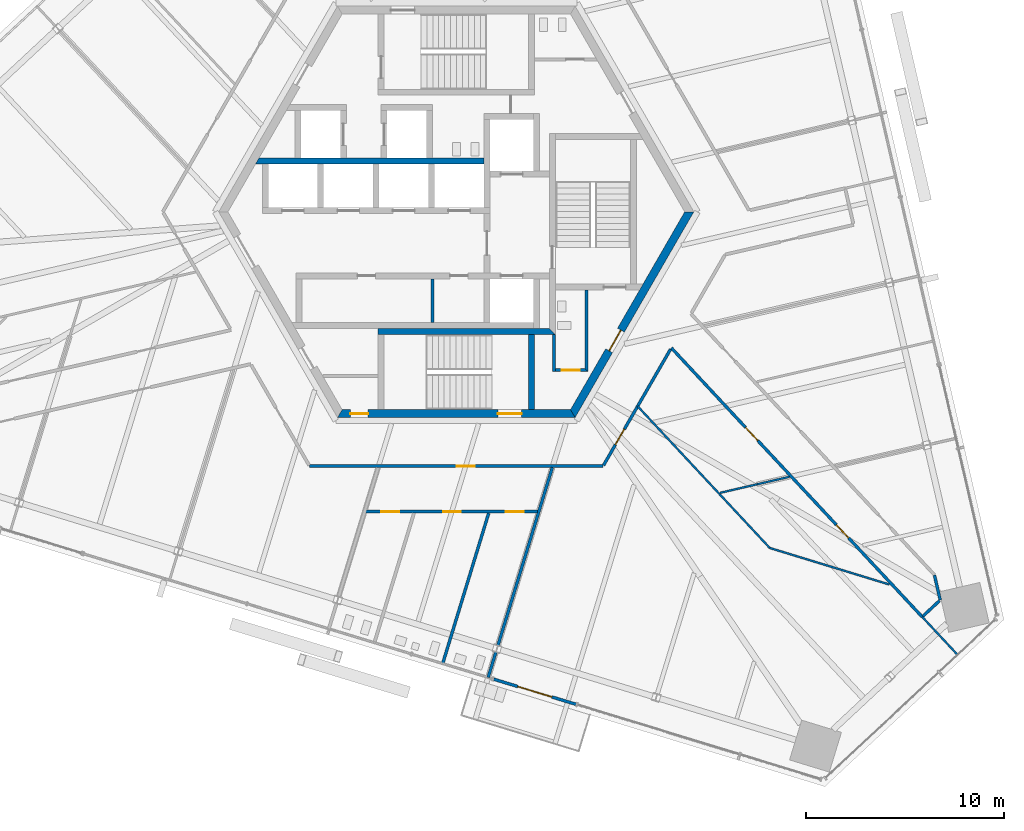
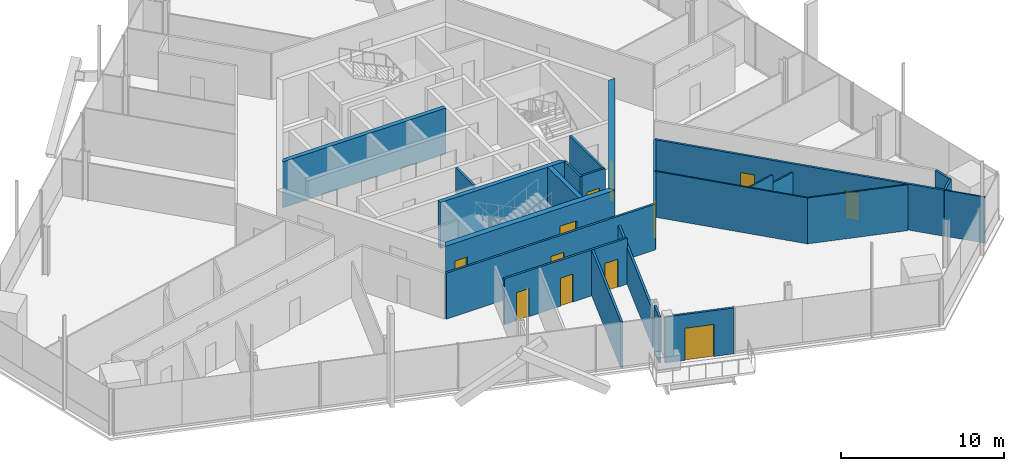
# One storey, part 14 of 24: 24 walls, 12 doors, 12 openings.
"""IFC4 building model written with IfcOpenShell, lengths in metres."""

from ifc_helpers import new_model, si_unit, direction, frame, frame_2d, origin, place, context, subcontext, project, spatial, polyline, rectangle, outline, extrude, source, transform, mapped, material, layer, layer_set, type_object, element, fill, save


model = new_model("IFC4")

# Units and contexts
model_context = context("Model", 3, precision=1e-05, world=origin(), true_north=direction((0.0, 1.0)))
body_context = subcontext(model_context, "Body", "Model", "MODEL_VIEW")
ifc_project = project(units=[si_unit("LENGTHUNIT", "METRE"), si_unit("AREAUNIT", "SQUARE_METRE"), si_unit("VOLUMEUNIT", "CUBIC_METRE"), si_unit("PLANEANGLEUNIT", "RADIAN"), si_unit("MASSUNIT", "GRAM", prefix="KILO")], contexts=[model_context])

# Site, building, storey
site_placement = place(None, origin())
site = spatial("IfcSite", under=ifc_project, at=site_placement, CompositionType="ELEMENT")
building_placement = place(site_placement, origin())
building = spatial("IfcBuilding", under=site, at=building_placement, Name="Triune Harvest Tower", CompositionType="ELEMENT")
storey_placement = place(building_placement, frame((0.0, 0.0, 112.699951171875)))
storey = spatial("IfcBuildingStorey", under=building, at=storey_placement, Name="L28", CompositionType="ELEMENT", Elevation=112.699951171875)

# Wall
ifc_material_1 = material(Name="Gypsum board on steel studs", Category="steel")
ifc_layer_1 = layer(ifc_material_1, 0.10009765625)
ifc_layer_set_1 = layer_set([ifc_layer_1], Name="Gypsum board on steel studs")
wall_type_1 = type_object("IfcWallType", Name="Partition 100 mm", PredefinedType="PARTITIONING", material=ifc_layer_set_1)
wall_1_placement = place(storey_placement, frame((15.193359375, -13.763916015625, 0.0), z_axis=(0.0, 0.0, 1.0), x_axis=(0.974354434128, 0.225018747431, 0.0)))
element("IfcWall", 1, at=wall_1_placement, inside=storey, type_object=wall_type_1, Name="Partition L28 028a", PredefinedType="PARTITIONING", context=body_context, shape_type="SweptSolid", body=[
    extrude(rectangle(XDim=1.679443359375, YDim=0.10009765625, at=frame_2d((0.83984375, 0.0))), origin(), (0.0, 0.0, 1.0), 2.827880859375),
])

# Wall, openings, doors
ifc_material_2 = material(Name="Concrete 70 MPa", Category="concrete")
ifc_layer_2 = layer(ifc_material_2, 0.39990234375)
ifc_layer_set_2 = layer_set([ifc_layer_2], Name="Concrete 70 MPa")
wall_type_2 = type_object("IfcWallType", Name="Core wall 400", PredefinedType="SHEAR", material=ifc_layer_set_2)
shared_shape_1 = source(origin(), body_context, "Body", "SweptSolid", [
    extrude(outline(polyline([(-0.115478515625, -0.199951171875), (11.884521484375, -0.199951171875), (11.653564453125, 0.199951171875), (0.115478515625, 0.199951171875), (-0.115478515625, -0.199951171875)])), origin(), (0.0, 0.0, 1.0), 3.43994140625),
])
wall_2_placement = place(storey_placement, frame((-5.884521484375, -10.1923828125, 0.0), z_axis=(0.0, 0.0, 1.0), x_axis=(1.0, 0.0, 0.0)))
wall_2 = element("IfcWall", 2, at=wall_2_placement, inside=storey, type_object=wall_type_2, Name="Hexagon 4 wall", PredefinedType="SHEAR", context=body_context, shape_type="MappedRepresentation", body=[
    mapped(shared_shape_1, transform((0.0, 0.0, 0.0), scale=1.0)),
])
opening_1_placement = place(wall_2_placement, frame((7.984619140625, 0.0, 0.0)))
opening_1 = element("IfcOpeningElement", 3, at=opening_1_placement, cuts=wall_2, Name="Opening CD-S2P", PredefinedType="OPENING", context=body_context, shape_type="SweptSolid", body=[
    extrude(rectangle(XDim=1.199951171875, YDim=2.10009765625, at=frame_2d((0.60009765625, 1.050048828125))), frame((0.0, 0.2099609375, 0.0), z_axis=(0.0, -1.0, 0.0), x_axis=(1.0, 0.0, 0.0)), (0.0, 0.0, 1.0), 0.419921875),
])
opening_2_placement = place(wall_2_placement, frame((0.534423828125, 0.0, 0.0)))
opening_2 = element("IfcOpeningElement", 4, at=opening_2_placement, cuts=wall_2, Name="Opening CD-SWS", PredefinedType="OPENING", context=body_context, shape_type="SweptSolid", body=[
    extrude(rectangle(XDim=0.89990234375, YDim=2.10009765625, at=frame_2d((0.449951171875, 1.050048828125))), frame((0.0, 0.2099609375, 0.0), z_axis=(0.0, -1.0, 0.0), x_axis=(1.0, 0.0, 0.0)), (0.0, 0.0, 1.0), 0.419921875),
])
ifc_material_3 = material(Name="Steel S235", Category="steel")
door_type_1 = type_object("IfcDoorType", Name="Riser door 900 FD120", OperationType="SINGLE_SWING_LEFT", PredefinedType="DOOR", material=ifc_material_3)
door_1_placement = place(opening_2_placement, frame((0.89990234375, 0.0, 0.0), z_axis=(0.0, 0.0, 1.0), x_axis=(-1.0, 0.0, 0.0)))
door_1 = element("IfcDoor", 5, at=door_1_placement, inside=storey, type_object=door_type_1, Name="Door CD-SWS", OperationType="SINGLE_SWING_RIGHT", OverallHeight=2.10009765625, OverallWidth=0.89990234375, PredefinedType="DOOR", context=body_context, shape_type="SweptSolid", body=[
    extrude(rectangle(XDim=0.89990234375, YDim=2.10009765625, at=frame_2d((0.449951171875, 1.050048828125))), frame((0.0, 0.02490234375, 0.0), z_axis=(0.0, -1.0, 0.0), x_axis=(1.0, 0.0, 0.0)), (0.0, 0.0, 1.0), 0.050048828125),
])
fill(opening_2, door_1)
ifc_material_4 = material(Name="Steel S235", Category="steel")
door_type_2 = type_object("IfcDoorType", Name="Stair door 1200 FD120", OperationType="SINGLE_SWING_LEFT", PredefinedType="DOOR", material=ifc_material_4)
door_2_placement = place(opening_1_placement, frame((1.199951171875, 0.0, 0.0), z_axis=(0.0, 0.0, 1.0), x_axis=(-1.0, 0.0, 0.0)))
door_2 = element("IfcDoor", 6, at=door_2_placement, inside=storey, type_object=door_type_2, Name="Door CD-S2P", OperationType="SINGLE_SWING_RIGHT", OverallHeight=2.10009765625, OverallWidth=1.199951171875, PredefinedType="DOOR", context=body_context, shape_type="SweptSolid", body=[
    extrude(rectangle(XDim=1.199951171875, YDim=2.10009765625, at=frame_2d((0.60009765625, 1.050048828125))), frame((0.0, 0.02490234375, 0.0), z_axis=(0.0, -1.0, 0.0), x_axis=(1.0, 0.0, 0.0)), (0.0, 0.0, 1.0), 0.050048828125),
])
fill(opening_1, door_2)

# Wall, opening, door
wall_3_placement = place(storey_placement, frame((5.884521484375, -10.1923828125, 0.0), z_axis=(0.0, 0.0, 1.0), x_axis=(0.499996592174, 0.866027371285, 0.0)))
wall_3 = element("IfcWall", 7, at=wall_3_placement, inside=storey, type_object=wall_type_2, Name="Hexagon 5 wall", PredefinedType="SHEAR", context=body_context, shape_type="MappedRepresentation", body=[
    mapped(shared_shape_1, transform((0.0, 0.0, 0.0), scale=1.0)),
])
opening_3_placement = place(wall_3_placement, frame((3.66455078125, 0.0, 0.0)))
opening_3 = element("IfcOpeningElement", 8, at=opening_3_placement, cuts=wall_3, Name="Opening CD-DP", PredefinedType="OPENING", context=body_context, shape_type="SweptSolid", body=[
    extrude(rectangle(XDim=1.199951171875, YDim=2.10009765625, at=frame_2d((0.60009765625, 1.050048828125))), frame((0.0, 0.2099609375, 0.0), z_axis=(0.0, -1.0, 0.0), x_axis=(1.0, 0.0, 0.0)), (0.0, 0.0, 1.0), 0.419921875),
])
door_3_placement = place(opening_3_placement, frame((1.199951171875, 0.0, 0.0), z_axis=(0.0, 0.0, 1.0), x_axis=(-1.0, 0.0, 0.0)))
door_3 = element("IfcDoor", 9, at=door_3_placement, inside=storey, type_object=door_type_2, Name="Door CD-DP", OperationType="SINGLE_SWING_RIGHT", OverallHeight=2.10009765625, OverallWidth=1.199951171875, PredefinedType="DOOR", context=body_context, shape_type="SweptSolid", body=[
    extrude(rectangle(XDim=1.199951171875, YDim=2.10009765625, at=frame_2d((0.60009765625, 1.050048828125))), frame((0.0, 0.02490234375, 0.0), z_axis=(0.0, -1.0, 0.0), x_axis=(1.0, 0.0, 0.0)), (0.0, 0.0, 1.0), 0.050048828125),
])
fill(opening_3, door_3)

# Walls
ifc_material_5 = material(Name="Concrete 70 MPa", Category="concrete")
ifc_layer_3 = layer(ifc_material_5, 0.300048828125)
ifc_layer_set_3 = layer_set([ifc_layer_3], Name="Concrete 70 MPa")
wall_type_3 = type_object("IfcWallType", Name="Core wall 300", PredefinedType="SHEAR", material=ifc_layer_set_3)
shared_shape_2 = source(origin(), body_context, "Body", "SweptSolid", [
    extrude(outline(polyline([(11.199951171875, -0.14990234375), (-0.34912109375, -0.14990234375), (-0.17578125, 0.14990234375), (11.199951171875, 0.14990234375), (11.199951171875, -0.14990234375)])), origin(), (0.0, 0.0, 1.0), 3.43994140625),
])
wall_4_placement = place(storey_placement, frame((-9.800048828125, 2.56005859375, 0.0), z_axis=(0.0, 0.0, 1.0), x_axis=(1.0, 0.0, 0.0)))
element("IfcWall", 10, at=wall_4_placement, inside=storey, type_object=wall_type_3, Name="North back wall", PredefinedType="SHEAR", context=body_context, shape_type="MappedRepresentation", body=[
    mapped(shared_shape_2, transform((0.0, 0.0, 0.0), scale=1.0)),
])
shared_shape_3 = source(origin(), body_context, "Body", "SweptSolid", [
    extrude(outline(polyline([(0.0, -0.14990234375), (8.949951171875, -0.14990234375), (8.64990234375, 0.14990234375), (0.0, 0.14990234375), (0.0, -0.14990234375)])), origin(), (0.0, 0.0, 1.0), 3.43994140625),
])
wall_5_placement = place(storey_placement, frame((-3.949951171875, -6.0400390625, 0.0), z_axis=(0.0, 0.0, 1.0), x_axis=(1.0, 0.0, 0.0)))
element("IfcWall", 11, at=wall_5_placement, inside=storey, type_object=wall_type_3, Name="Stair s north wall", PredefinedType="SHEAR", context=body_context, shape_type="MappedRepresentation", body=[
    mapped(shared_shape_3, transform((0.0, 0.0, 0.0), scale=1.0)),
])
shared_shape_4 = source(origin(), body_context, "Body", "SweptSolid", [
    extrude(outline(polyline([(3.800048828125, -0.14990234375), (-0.00439453125, -0.14990234375), (-0.00439453125, 0.14990234375), (3.800048828125, 0.14990234375), (3.800048828125, -0.14990234375)])), origin(), (0.0, 0.0, 1.0), 3.43994140625),
])
wall_6_placement = place(storey_placement, frame((3.800048828125, -9.989990234375, 0.0), z_axis=(0.0, 0.0, 1.0), x_axis=(0.0, 1.0, 0.0)))
element("IfcWall", 12, at=wall_6_placement, inside=storey, type_object=wall_type_3, Name="Stair s east wall", PredefinedType="SHEAR", context=body_context, shape_type="MappedRepresentation", body=[
    mapped(shared_shape_4, transform((0.0, 0.0, 0.0), scale=1.0)),
])

# Wall, opening, door
ifc_material_6 = material(Name="Concrete masonry unit", Category="masonry")
ifc_layer_4 = layer(ifc_material_6, 0.14990234375)
ifc_layer_set_4 = layer_set([ifc_layer_4], Name="Concrete masonry unit")
wall_type_4 = type_object("IfcWallType", Name="Block partition 150 unrated", PredefinedType="PARTITIONING", material=ifc_layer_set_4)
shared_shape_5 = source(origin(), body_context, "Body", "SweptSolid", [
    extrude(outline(polyline([(0.0, -0.074951171875), (1.64990234375, -0.074951171875), (1.5, 0.074951171875), (0.0, 0.074951171875), (0.0, -0.074951171875)])), origin(), (0.0, 0.0, 1.0), 3.43994140625),
])
wall_7_placement = place(storey_placement, frame((5.0, -8.0, 0.0), z_axis=(0.0, 0.0, 1.0), x_axis=(1.0, 0.0, 0.0)))
wall_7 = element("IfcWall", 13, at=wall_7_placement, inside=storey, type_object=wall_type_4, Name="Wc acc south wall", PredefinedType="PARTITIONING", context=body_context, shape_type="MappedRepresentation", body=[
    mapped(shared_shape_5, transform((0.0, 0.0, 0.0), scale=1.0)),
])
opening_4_placement = place(wall_7_placement, frame((0.33740234375, 0.0, 0.0)))
opening_4 = element("IfcOpeningElement", 14, at=opening_4_placement, cuts=wall_7, Name="Opening CD-WA", PredefinedType="OPENING", context=body_context, shape_type="SweptSolid", body=[
    extrude(rectangle(XDim=0.89990234375, YDim=2.10009765625, at=frame_2d((0.449951171875, 1.050048828125))), frame((0.0, 0.0849609375, 0.0), z_axis=(0.0, -1.0, 0.0), x_axis=(1.0, 0.0, 0.0)), (0.0, 0.0, 1.0), 0.169921875),
])
ifc_material_7 = material(Name="Timber C24", Category="wood")
door_type_3 = type_object("IfcDoorType", Name="WC door 900", OperationType="SINGLE_SWING_LEFT", PredefinedType="DOOR", material=ifc_material_7)
door_4_placement = place(opening_4_placement, origin())
door_4 = element("IfcDoor", 15, at=door_4_placement, inside=storey, type_object=door_type_3, Name="Door CD-WA", OperationType="SINGLE_SWING_LEFT", OverallHeight=2.10009765625, OverallWidth=0.89990234375, PredefinedType="DOOR", context=body_context, shape_type="SweptSolid", body=[
    extrude(rectangle(XDim=0.89990234375, YDim=2.10009765625, at=frame_2d((0.449951171875, 1.050048828125))), frame((0.0, 0.02490234375, 0.0), z_axis=(0.0, -1.0, 0.0), x_axis=(1.0, 0.0, 0.0)), (0.0, 0.0, 1.0), 0.050048828125),
])
fill(opening_4, door_4)

# Walls
ifc_material_8 = material(Name="Concrete masonry unit", Category="masonry")
ifc_layer_5 = layer(ifc_material_8, 0.14990234375)
ifc_layer_set_5 = layer_set([ifc_layer_5], Name="Concrete masonry unit")
wall_type_5 = type_object("IfcWallType", Name="Block partition 150", PredefinedType="PARTITIONING", material=ifc_layer_set_5)
shared_shape_6 = source(origin(), body_context, "Body", "SweptSolid", [
    extrude(rectangle(XDim=2.2001953125, YDim=0.14990234375, at=frame_2d((1.10009765625, 0.0))), origin(), (0.0, 0.0, 1.0), 3.43994140625),
])
wall_8_placement = place(storey_placement, frame((-1.199951171875, -5.590087890625, 0.0), z_axis=(0.0, 0.0, 1.0), x_axis=(0.0, 1.0, 0.0)))
element("IfcWall", 16, at=wall_8_placement, inside=storey, type_object=wall_type_5, Name="Row s part 1 wall", PredefinedType="PARTITIONING", context=body_context, shape_type="MappedRepresentation", body=[
    mapped(shared_shape_6, transform((0.0, 0.0, 0.0), scale=1.0)),
])
shared_shape_7 = source(origin(), body_context, "Body", "SweptSolid", [
    extrude(outline(polyline([(-0.074951171875, -0.074951171875), (4.050048828125, -0.074951171875), (4.050048828125, 0.074951171875), (0.074951171875, 0.074951171875), (-0.074951171875, -0.074951171875)])), origin(), (0.0, 0.0, 1.0), 3.43994140625),
])
wall_9_placement = place(storey_placement, frame((6.574951171875, -8.0, 0.0), z_axis=(0.0, 0.0, 1.0), x_axis=(0.0, 1.0, 0.0)))
element("IfcWall", 17, at=wall_9_placement, inside=storey, type_object=wall_type_4, Name="Wc acc east wall", PredefinedType="PARTITIONING", context=body_context, shape_type="MappedRepresentation", body=[
    mapped(shared_shape_7, transform((0.0, 0.0, 0.0), scale=1.0)),
])
shared_shape_8 = source(origin(), body_context, "Body", "SweptSolid", [
    extrude(rectangle(XDim=1.885009765625, YDim=0.14990234375, at=frame_2d((0.9423828125, 0.0))), origin(), (0.0, 0.0, 1.0), 3.43994140625),
])
wall_10_placement = place(storey_placement, frame((4.925048828125, -8.074951171875, 0.0), z_axis=(0.0, 0.0, 1.0), x_axis=(0.0, 1.0, 0.0)))
element("IfcWall", 18, at=wall_10_placement, inside=storey, type_object=wall_type_4, Name="Wc acc west wall", PredefinedType="PARTITIONING", context=body_context, shape_type="MappedRepresentation", body=[
    mapped(shared_shape_8, transform((0.0, 0.0, 0.0), scale=1.0)),
])

# Wall, opening, door
ifc_material_9 = material(Name="Aluminium bronze anodised", Category="aluminium")
ifc_layer_6 = layer(ifc_material_9, 0.14990234375)
ifc_layer_set_6 = layer_set([ifc_layer_6], Name="Aluminium bronze anodised")
wall_type_6 = type_object("IfcWallType", Name="WW-2 balcony window wall", PredefinedType="ELEMENTEDWALL", material=ifc_layer_set_6)
shared_shape_9 = source(origin(), body_context, "Body", "SweptSolid", [
    extrude(rectangle(XDim=4.353515625, YDim=0.14990234375, at=frame_2d((2.1767578125, 0.0))), origin(), (0.0, 0.0, 1.0), 3.43994140625),
])
wall_11_placement = place(storey_placement, frame((6.05029296875, -24.88037109375, 0.0), z_axis=(0.0, 0.0, 1.0), x_axis=(-0.956298880937, 0.292390920378, 0.0)))
wall_11 = element("IfcWall", 19, at=wall_11_placement, inside=storey, type_object=wall_type_6, Name="WW-2 B3-F5 L28.9", PredefinedType="ELEMENTEDWALL", context=body_context, shape_type="MappedRepresentation", body=[
    mapped(shared_shape_9, transform((0.0, 0.0, 0.0), scale=1.0)),
])
opening_5_placement = place(wall_11_placement, frame((1.276611328125, 0.0, 0.0)))
opening_5 = element("IfcOpeningElement", 20, at=opening_5_placement, cuts=wall_11, Name="Opening L28-E02", PredefinedType="OPENING", context=body_context, shape_type="SweptSolid", body=[
    extrude(rectangle(XDim=1.800048828125, YDim=2.39990234375, at=frame_2d((0.89990234375, 1.199951171875))), frame((0.0, 0.0849609375, 0.0), z_axis=(0.0, -1.0, 0.0), x_axis=(1.0, 0.0, 0.0)), (0.0, 0.0, 1.0), 0.169921875),
])
ifc_material_10 = material(Name="Glass", Category="glass")
door_type_4 = type_object("IfcDoorType", Name="DB-1 balcony door 1800 x 2400", OperationType="DOUBLE_DOOR_SINGLE_SWING", PredefinedType="DOOR", material=ifc_material_10)
door_5_placement = place(opening_5_placement, origin())
door_5 = element("IfcDoor", 21, at=door_5_placement, inside=storey, type_object=door_type_4, Name="Door L28-E02", OperationType="DOUBLE_DOOR_SINGLE_SWING", OverallHeight=2.39990234375, OverallWidth=1.800048828125, PredefinedType="DOOR", context=body_context, shape_type="SweptSolid", body=[
    extrude(rectangle(XDim=1.800048828125, YDim=2.39990234375, at=frame_2d((0.89990234375, 1.199951171875))), frame((0.0, 0.02490234375, 0.0), z_axis=(0.0, -1.0, 0.0), x_axis=(1.0, 0.0, 0.0)), (0.0, 0.0, 1.0), 0.050048828125),
])
fill(opening_5, door_5)

# Wall
ifc_material_11 = material(Name="Gypsum board on steel studs", Category="steel")
ifc_layer_7 = layer(ifc_material_11, 0.14990234375)
ifc_layer_set_7 = layer_set([ifc_layer_7], Name="Gypsum board on steel studs")
wall_type_7 = type_object("IfcWallType", Name="Fire Partition 150 mm", PredefinedType="PARTITIONING", material=ifc_layer_set_7)
shared_shape_10 = source(origin(), body_context, "Body", "SweptSolid", [
    extrude(rectangle(XDim=1.291259765625, YDim=0.14990234375, at=frame_2d((0.6455078125, 0.0))), origin(), (0.0, 0.0, 1.0), 3.43994140625),
])
wall_12_placement = place(storey_placement, frame((24.1533203125, -18.353759765625, 0.0), z_axis=(0.0, 0.0, 1.0), x_axis=(0.225011409507, -0.974356128729, 0.0)))
element("IfcWall", 22, at=wall_12_placement, inside=storey, type_object=wall_type_7, Name="Partition L28 003", PredefinedType="PARTITIONING", context=body_context, shape_type="MappedRepresentation", body=[
    mapped(shared_shape_10, transform((0.0, 0.0, 0.0), scale=1.0)),
])

# Wall, openings, doors
shared_shape_11 = source(origin(), body_context, "Body", "SweptSolid", [
    extrude(rectangle(XDim=18.5810546875, YDim=0.14990234375, at=frame_2d((9.29052734375, 0.0))), origin(), (0.0, 0.0, 1.0), 3.43994140625),
])
wall_13_placement = place(storey_placement, frame((10.861572265625, -6.87158203125, 0.0), z_axis=(0.0, 0.0, 1.0), x_axis=(0.681987205114, -0.731364103618, 0.0)))
wall_13 = element("IfcWall", 23, at=wall_13_placement, inside=storey, type_object=wall_type_7, Name="Partition L28 014", PredefinedType="PARTITIONING", context=body_context, shape_type="MappedRepresentation", body=[
    mapped(shared_shape_11, transform((0.0, 0.0, 0.0), scale=1.0)),
])
opening_6_placement = place(wall_13_placement, frame((12.229736328125, 0.0, 0.0)))
opening_6 = element("IfcOpeningElement", 24, at=opening_6_placement, cuts=wall_13, Name="Opening L28-001", PredefinedType="OPENING", context=body_context, shape_type="SweptSolid", body=[
    extrude(rectangle(XDim=0.89990234375, YDim=2.10009765625, at=frame_2d((0.449951171875, 1.050048828125))), frame((0.0, 0.0849609375, 0.0), z_axis=(0.0, -1.0, 0.0), x_axis=(1.0, 0.0, 0.0)), (0.0, 0.0, 1.0), 0.169921875),
])
opening_7_placement = place(wall_13_placement, frame((5.5, 0.0, 0.0)))
opening_7 = element("IfcOpeningElement", 25, at=opening_7_placement, cuts=wall_13, Name="Opening L28-003", PredefinedType="OPENING", context=body_context, shape_type="SweptSolid", body=[
    extrude(rectangle(XDim=0.89990234375, YDim=2.10009765625, at=frame_2d((0.449951171875, 1.050048828125))), frame((0.0, 0.0849609375, 0.0), z_axis=(0.0, -1.0, 0.0), x_axis=(1.0, 0.0, 0.0)), (0.0, 0.0, 1.0), 0.169921875),
])
ifc_material_12 = material(Name="Timber and steel door set", Category="steel")
door_type_5 = type_object("IfcDoorType", Name="Single leaf door FD30 left hand 900 x 2100", OperationType="SINGLE_SWING_LEFT", PredefinedType="DOOR", material=ifc_material_12)
door_6_placement = place(opening_6_placement, origin())
door_6 = element("IfcDoor", 26, at=door_6_placement, inside=storey, type_object=door_type_5, Name="Door L28-001 Open Office 28.01", OperationType="SINGLE_SWING_LEFT", OverallHeight=2.10009765625, OverallWidth=0.89990234375, PredefinedType="DOOR", context=body_context, shape_type="SweptSolid", body=[
    extrude(rectangle(XDim=0.89990234375, YDim=2.10009765625, at=frame_2d((0.449951171875, 1.050048828125))), frame((0.0, 0.02490234375, 0.0), z_axis=(0.0, -1.0, 0.0), x_axis=(1.0, 0.0, 0.0)), (0.0, 0.0, 1.0), 0.050048828125),
])
fill(opening_6, door_6)
ifc_material_13 = material(Name="Timber and steel door set", Category="steel")
door_type_6 = type_object("IfcDoorType", Name="Single leaf door FD30 right hand 900 x 2100", OperationType="SINGLE_SWING_RIGHT", PredefinedType="DOOR", material=ifc_material_13)
door_7_placement = place(opening_7_placement, origin())
door_7 = element("IfcDoor", 27, at=door_7_placement, inside=storey, type_object=door_type_6, Name="Door L28-003 Pantry 28.03", OperationType="SINGLE_SWING_RIGHT", OverallHeight=2.10009765625, OverallWidth=0.89990234375, PredefinedType="DOOR", context=body_context, shape_type="SweptSolid", body=[
    extrude(rectangle(XDim=0.89990234375, YDim=2.10009765625, at=frame_2d((0.449951171875, 1.050048828125))), frame((0.0, 0.02490234375, 0.0), z_axis=(0.0, -1.0, 0.0), x_axis=(1.0, 0.0, 0.0)), (0.0, 0.0, 1.0), 0.050048828125),
])
fill(opening_7, door_7)

# Wall
shared_shape_12 = source(origin(), body_context, "Body", "SweptSolid", [
    extrude(rectangle(XDim=2.61865234375, YDim=0.10009765625, at=frame_2d((1.309326171875, 0.0))), origin(), (0.0, 0.0, 1.0), 3.43994140625),
])
wall_14_placement = place(storey_placement, frame((23.53369140625, -20.461181640625, 0.0), z_axis=(0.0, 0.0, 1.0), x_axis=(0.682015897194, -0.731337347586, 0.0)))
element("IfcWall", 28, at=wall_14_placement, inside=storey, type_object=wall_type_1, Name="Partition L28 015", PredefinedType="PARTITIONING", context=body_context, shape_type="MappedRepresentation", body=[
    mapped(shared_shape_12, transform((0.0, 0.0, 0.0), scale=1.0)),
])

# Wall, openings, doors
shared_shape_13 = source(origin(), body_context, "Body", "SweptSolid", [
    extrude(rectangle(XDim=8.718994140625, YDim=0.14990234375, at=frame_2d((4.359375, 0.0))), origin(), (0.0, 0.0, 1.0), 3.43994140625),
])
wall_15_placement = place(storey_placement, frame((-4.629638671875, -15.142333984375, 0.0), z_axis=(0.0, 0.0, 1.0), x_axis=(1.0, 0.0, 0.0)))
wall_15 = element("IfcWall", 29, at=wall_15_placement, inside=storey, type_object=wall_type_7, Name="Partition L28 025", PredefinedType="PARTITIONING", context=body_context, shape_type="MappedRepresentation", body=[
    mapped(shared_shape_13, transform((0.0, 0.0, 0.0), scale=1.0)),
])
opening_8_placement = place(wall_15_placement, frame((0.85009765625, 0.0, 0.0)))
opening_8 = element("IfcOpeningElement", 30, at=opening_8_placement, cuts=wall_15, Name="Opening L28-023", PredefinedType="OPENING", context=body_context, shape_type="SweptSolid", body=[
    extrude(rectangle(XDim=0.89990234375, YDim=2.10009765625, at=frame_2d((0.449951171875, 1.050048828125))), frame((0.0, 0.0849609375, 0.0), z_axis=(0.0, -1.0, 0.0), x_axis=(1.0, 0.0, 0.0)), (0.0, 0.0, 1.0), 0.169921875),
])
opening_9_placement = place(wall_15_placement, frame((3.9658203125, 0.0, 0.0)))
opening_9 = element("IfcOpeningElement", 31, at=opening_9_placement, cuts=wall_15, Name="Opening L28-024", PredefinedType="OPENING", context=body_context, shape_type="SweptSolid", body=[
    extrude(rectangle(XDim=0.89990234375, YDim=2.10009765625, at=frame_2d((0.449951171875, 1.050048828125))), frame((0.0, 0.0849609375, 0.0), z_axis=(0.0, -1.0, 0.0), x_axis=(1.0, 0.0, 0.0)), (0.0, 0.0, 1.0), 0.169921875),
])
opening_10_placement = place(wall_15_placement, frame((7.139404296875, 0.0, 0.0)))
opening_10 = element("IfcOpeningElement", 32, at=opening_10_placement, cuts=wall_15, Name="Opening L28-025", PredefinedType="OPENING", context=body_context, shape_type="SweptSolid", body=[
    extrude(rectangle(XDim=0.89990234375, YDim=2.10009765625, at=frame_2d((0.449951171875, 1.050048828125))), frame((0.0, 0.0849609375, 0.0), z_axis=(0.0, -1.0, 0.0), x_axis=(1.0, 0.0, 0.0)), (0.0, 0.0, 1.0), 0.169921875),
])
door_8_placement = place(opening_9_placement, origin())
door_8 = element("IfcDoor", 33, at=door_8_placement, inside=storey, type_object=door_type_5, Name="Door L28-024 Men's WC 28.24", OperationType="SINGLE_SWING_LEFT", OverallHeight=2.10009765625, OverallWidth=0.89990234375, PredefinedType="DOOR", context=body_context, shape_type="SweptSolid", body=[
    extrude(rectangle(XDim=0.89990234375, YDim=2.10009765625, at=frame_2d((0.449951171875, 1.050048828125))), frame((0.0, 0.02490234375, 0.0), z_axis=(0.0, -1.0, 0.0), x_axis=(1.0, 0.0, 0.0)), (0.0, 0.0, 1.0), 0.050048828125),
])
fill(opening_9, door_8)
door_9_placement = place(opening_10_placement, origin())
door_9 = element("IfcDoor", 34, at=door_9_placement, inside=storey, type_object=door_type_5, Name="Door L28-025 Accessible WC 28.25", OperationType="SINGLE_SWING_LEFT", OverallHeight=2.10009765625, OverallWidth=0.89990234375, PredefinedType="DOOR", context=body_context, shape_type="SweptSolid", body=[
    extrude(rectangle(XDim=0.89990234375, YDim=2.10009765625, at=frame_2d((0.449951171875, 1.050048828125))), frame((0.0, 0.02490234375, 0.0), z_axis=(0.0, -1.0, 0.0), x_axis=(1.0, 0.0, 0.0)), (0.0, 0.0, 1.0), 0.050048828125),
])
fill(opening_10, door_9)
door_10_placement = place(opening_8_placement, origin())
door_10 = element("IfcDoor", 35, at=door_10_placement, inside=storey, type_object=door_type_6, Name="Door L28-023 Women's WC 28.23", OperationType="SINGLE_SWING_RIGHT", OverallHeight=2.10009765625, OverallWidth=0.89990234375, PredefinedType="DOOR", context=body_context, shape_type="SweptSolid", body=[
    extrude(rectangle(XDim=0.89990234375, YDim=2.10009765625, at=frame_2d((0.449951171875, 1.050048828125))), frame((0.0, 0.02490234375, 0.0), z_axis=(0.0, -1.0, 0.0), x_axis=(1.0, 0.0, 0.0)), (0.0, 0.0, 1.0), 0.050048828125),
])
fill(opening_8, door_10)

# Wall, opening, door
shared_shape_14 = source(origin(), body_context, "Body", "SweptSolid", [
    extrude(rectangle(XDim=14.8291015625, YDim=0.14990234375, at=frame_2d((7.41455078125, 0.0))), origin(), (0.0, 0.0, 1.0), 3.43994140625),
])
wall_16_placement = place(storey_placement, frame((-7.41455078125, -12.84228515625, 0.0), z_axis=(0.0, 0.0, 1.0), x_axis=(1.0, 0.0, 0.0)))
wall_16 = element("IfcWall", 36, at=wall_16_placement, inside=storey, type_object=wall_type_7, Name="Partition L28 026", PredefinedType="PARTITIONING", context=body_context, shape_type="MappedRepresentation", body=[
    mapped(shared_shape_14, transform((0.0, 0.0, 0.0), scale=1.0)),
])
opening_11_placement = place(wall_16_placement, frame((7.43798828125, 0.0, 0.0)))
opening_11 = element("IfcOpeningElement", 37, at=opening_11_placement, cuts=wall_16, Name="Opening L28-022", PredefinedType="OPENING", context=body_context, shape_type="SweptSolid", body=[
    extrude(rectangle(XDim=0.89990234375, YDim=2.10009765625, at=frame_2d((0.449951171875, 1.050048828125))), frame((0.0, 0.0849609375, 0.0), z_axis=(0.0, -1.0, 0.0), x_axis=(1.0, 0.0, 0.0)), (0.0, 0.0, 1.0), 0.169921875),
])
door_11_placement = place(opening_11_placement, origin())
door_11 = element("IfcDoor", 38, at=door_11_placement, inside=storey, type_object=door_type_5, Name="Door L28-022 WC lobby 28.22", OperationType="SINGLE_SWING_LEFT", OverallHeight=2.10009765625, OverallWidth=0.89990234375, PredefinedType="DOOR", context=body_context, shape_type="SweptSolid", body=[
    extrude(rectangle(XDim=0.89990234375, YDim=2.10009765625, at=frame_2d((0.449951171875, 1.050048828125))), frame((0.0, 0.02490234375, 0.0), z_axis=(0.0, -1.0, 0.0), x_axis=(1.0, 0.0, 0.0)), (0.0, 0.0, 1.0), 0.050048828125),
])
fill(opening_11, door_11)

# Wall
shared_shape_15 = source(origin(), body_context, "Body", "SweptSolid", [
    extrude(rectangle(XDim=1.154296875, YDim=0.14990234375, at=frame_2d((0.5771484375, 0.0))), origin(), (0.0, 0.0, 1.0), 3.43994140625),
])
wall_17_placement = place(storey_placement, frame((23.5703125, -20.427001953125, 0.0), z_axis=(0.0, 0.0, 1.0), x_axis=(0.731315427134, 0.682039402113, 0.0)))
element("IfcWall", 39, at=wall_17_placement, inside=storey, type_object=wall_type_7, Name="Partition L28 045", PredefinedType="PARTITIONING", context=body_context, shape_type="MappedRepresentation", body=[
    mapped(shared_shape_15, transform((0.0, 0.0, 0.0), scale=1.0)),
])

# Wall, opening, door
shared_shape_16 = source(origin(), body_context, "Body", "SweptSolid", [
    extrude(rectangle(XDim=6.774169921875, YDim=0.14990234375, at=frame_2d((3.38720703125, 0.0))), origin(), (0.0, 0.0, 1.0), 3.43994140625),
])
wall_18_placement = place(storey_placement, frame((7.4345703125, -12.8076171875, 0.0), z_axis=(0.0, 0.0, 1.0), x_axis=(0.49998035001, 0.866036748414, 0.0)))
wall_18 = element("IfcWall", 40, at=wall_18_placement, inside=storey, type_object=wall_type_7, Name="Partition L28 048", PredefinedType="PARTITIONING", context=body_context, shape_type="MappedRepresentation", body=[
    mapped(shared_shape_16, transform((0.0, 0.0, 0.0), scale=1.0)),
])
opening_12_placement = place(wall_18_placement, frame((1.2099609375, 0.0, 0.0)))
opening_12 = element("IfcOpeningElement", 41, at=opening_12_placement, cuts=wall_18, Name="Opening L28-026", PredefinedType="OPENING", context=body_context, shape_type="SweptSolid", body=[
    extrude(rectangle(XDim=0.89990234375, YDim=2.10009765625, at=frame_2d((0.449951171875, 1.050048828125))), frame((0.0, 0.0849609375, 0.0), z_axis=(0.0, -1.0, 0.0), x_axis=(1.0, 0.0, 0.0)), (0.0, 0.0, 1.0), 0.169921875),
])
door_12_placement = place(opening_12_placement, origin())
door_12 = element("IfcDoor", 42, at=door_12_placement, inside=storey, type_object=door_type_6, Name="Door L28-026 Open Office 28.26", OperationType="SINGLE_SWING_RIGHT", OverallHeight=2.10009765625, OverallWidth=0.89990234375, PredefinedType="DOOR", context=body_context, shape_type="SweptSolid", body=[
    extrude(rectangle(XDim=0.89990234375, YDim=2.10009765625, at=frame_2d((0.449951171875, 1.050048828125))), frame((0.0, 0.02490234375, 0.0), z_axis=(0.0, -1.0, 0.0), x_axis=(1.0, 0.0, 0.0)), (0.0, 0.0, 1.0), 0.050048828125),
])
fill(opening_12, door_12)

# Walls
shared_shape_17 = source(origin(), body_context, "Body", "SweptSolid", [
    extrude(rectangle(XDim=7.948974609375, YDim=0.14990234375, at=frame_2d((3.974609375, 0.0))), origin(), (0.0, 0.0, 1.0), 3.43994140625),
])
wall_19_placement = place(storey_placement, frame((-0.6875, -22.8203125, 0.0), z_axis=(0.0, 0.0, 1.0), x_axis=(0.292365230399, 0.956306735339, 0.0)))
element("IfcWall", 43, at=wall_19_placement, inside=storey, type_object=wall_type_7, Name="Partition L28 053", PredefinedType="PARTITIONING", context=body_context, shape_type="MappedRepresentation", body=[
    mapped(shared_shape_17, transform((0.0, 0.0, 0.0), scale=1.0)),
])
shared_shape_18 = source(origin(), body_context, "Body", "SweptSolid", [
    extrude(rectangle(XDim=1.921630859375, YDim=0.10009765625, at=frame_2d((0.9609375, 0.0))), origin(), (0.0, 0.0, 1.0), 3.43994140625),
])
wall_20_placement = place(storey_placement, frame((13.321044921875, -14.1962890625, 0.0), z_axis=(0.0, 0.0, 1.0), x_axis=(0.974356923342, 0.225007968606, 0.0)))
element("IfcWall", 44, at=wall_20_placement, inside=storey, type_object=wall_type_1, Name="Partition L28 028", PredefinedType="PARTITIONING", context=body_context, shape_type="MappedRepresentation", body=[
    mapped(shared_shape_18, transform((0.0, 0.0, 0.0), scale=1.0)),
])
shared_shape_19 = source(origin(), body_context, "Body", "SweptSolid", [
    extrude(rectangle(XDim=9.787841796875, YDim=0.10009765625, at=frame_2d((4.89404296875, 0.0))), origin(), (0.0, 0.0, 1.0), 3.43994140625),
])
wall_21_placement = place(storey_placement, frame((9.15869140625, -9.821533203125, 0.0), z_axis=(0.0, 0.0, 1.0), x_axis=(0.681994693259, -0.731357120951, 0.0)))
element("IfcWall", 45, at=wall_21_placement, inside=storey, type_object=wall_type_1, Name="Partition L28 012", PredefinedType="PARTITIONING", context=body_context, shape_type="MappedRepresentation", body=[
    mapped(shared_shape_19, transform((0.0, 0.0, 0.0), scale=1.0)),
])
shared_shape_20 = source(origin(), body_context, "Body", "SweptSolid", [
    extrude(rectangle(XDim=6.314453125, YDim=0.10009765625, at=frame_2d((3.1572265625, 0.0))), origin(), (0.0, 0.0, 1.0), 3.43994140625),
])
wall_22_placement = place(storey_placement, frame((15.833984375, -16.97998046875, 0.0), z_axis=(0.0, 0.0, 1.0), x_axis=(0.956304136269, -0.292373731643, 0.0)))
element("IfcWall", 46, at=wall_22_placement, inside=storey, type_object=wall_type_1, Name="Partition L28 024", PredefinedType="PARTITIONING", context=body_context, shape_type="MappedRepresentation", body=[
    mapped(shared_shape_20, transform((0.0, 0.0, 0.0), scale=1.0)),
])
shared_shape_21 = source(origin(), body_context, "Body", "SweptSolid", [
    extrude(rectangle(XDim=1.338623046875, YDim=0.14990234375, at=frame_2d((0.66943359375, 0.0))), origin(), (0.0, 0.0, 1.0), 3.43994140625),
])
wall_23_placement = place(storey_placement, frame((1.607421875, -23.522216796875, 0.0), z_axis=(0.0, 0.0, 1.0), x_axis=(0.292380718345, 0.956302000176, 0.0)))
element("IfcWall", 47, at=wall_23_placement, inside=storey, type_object=wall_type_7, Name="Partition L28 051", PredefinedType="PARTITIONING", context=body_context, shape_type="MappedRepresentation", body=[
    mapped(shared_shape_21, transform((0.0, 0.0, 0.0), scale=1.0)),
])
shared_shape_22 = source(origin(), body_context, "Body", "SweptSolid", [
    extrude(rectangle(XDim=9.388671875, YDim=0.14990234375, at=frame_2d((4.6943359375, 0.0))), origin(), (0.0, 0.0, 1.0), 2.7568359375),
])
wall_24_placement = place(storey_placement, frame((2.104248046875, -21.897216796875, 0.0), z_axis=(0.0, 0.0, 1.0), x_axis=(0.292358588607, 0.956308765864, 0.0)))
element("IfcWall", 48, at=wall_24_placement, inside=storey, type_object=wall_type_7, Name="Partition L28 052", PredefinedType="PARTITIONING", context=body_context, shape_type="MappedRepresentation", body=[
    mapped(shared_shape_22, transform((0.0, 0.0, 0.0), scale=1.0)),
])

save(model, "model.ifc")
